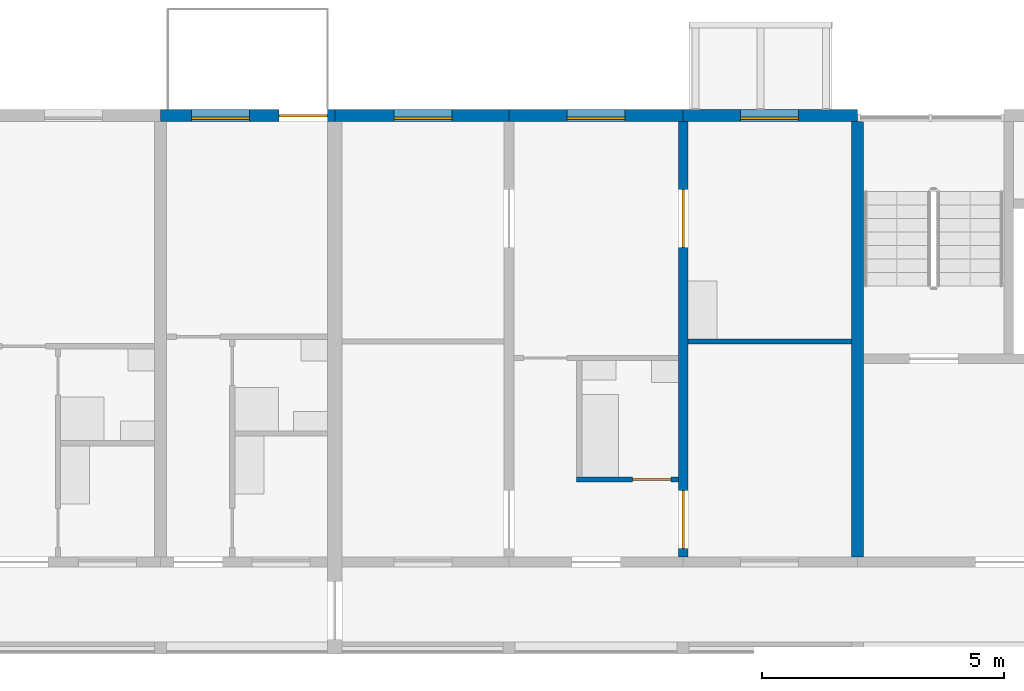
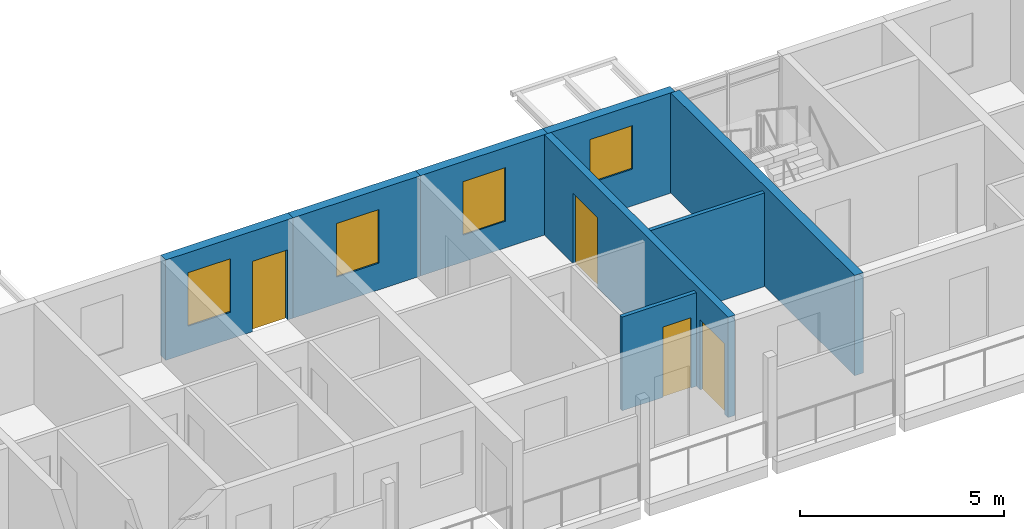
# One storey, part 32 of 99: 8 walls, 4 doors, 4 windows, 8 openings.
"""IFC4 building model written with IfcOpenShell, lengths in metres."""

from ifc_helpers import new_model, si_unit, direction, frame, frame_2d, origin, place, context, subcontext, project, spatial, rectangle, extrude, material, layer, layer_set, type_object, element, fill, save


model = new_model("IFC4")

# Units and contexts
model_context = context("Model", 3, precision=1e-05, world=origin(), true_north=direction((0.0, 1.0)))
body_context = subcontext(model_context, "Body", "Model", "MODEL_VIEW")
ifc_project = project(units=[si_unit("LENGTHUNIT", "METRE"), si_unit("AREAUNIT", "SQUARE_METRE"), si_unit("VOLUMEUNIT", "CUBIC_METRE"), si_unit("PLANEANGLEUNIT", "RADIAN"), si_unit("MASSUNIT", "GRAM", prefix="KILO")], contexts=[model_context])

# Site, building, storey
site_placement = place(None, origin())
site = spatial("IfcSite", under=ifc_project, at=site_placement, CompositionType="ELEMENT")
building_placement = place(site_placement, origin())
building = spatial("IfcBuilding", under=site, at=building_placement, Name="Ridgestep Commons", CompositionType="ELEMENT")
storey_placement = place(building_placement, frame((0.0, 0.0, 15.0)))
storey = spatial("IfcBuildingStorey", under=building, at=storey_placement, Name="L05", CompositionType="ELEMENT", Elevation=15.0)

# Wall
ifc_material_1 = material(Name="Concrete C30/37", Category="concrete")
ifc_layer_1 = layer(ifc_material_1, 0.25)
ifc_layer_set_1 = layer_set([ifc_layer_1], Name="Core cross wall 250")
wall_type_1 = type_object("IfcWallType", Name="Core cross wall 250", PredefinedType="SHEAR", material=ifc_layer_set_1)
wall_1_placement = place(storey_placement, frame((73.199951171875, 13.75, 0.0), z_axis=(0.0, 0.0, 1.0), x_axis=(0.0, 1.0, 0.0)))
element("IfcWall", 1, at=wall_1_placement, inside=storey, type_object=wall_type_1, Name="Cross wall A-05-0732", PredefinedType="SHEAR", context=body_context, shape_type="SweptSolid", body=[
    extrude(rectangle(XDim=9.0, YDim=0.25, at=frame_2d((4.5, 0.0))), origin(), (0.0, 0.0, 1.0), 3.0),
])

# Wall, openings, doors
ifc_material_2 = material(Name="Precast concrete C40/50", Category="concrete")
ifc_layer_2 = layer(ifc_material_2, 0.199951171875)
ifc_layer_set_2 = layer_set([ifc_layer_2], Name="Cross wall 200")
wall_type_2 = type_object("IfcWallType", Name="Cross wall 200", PredefinedType="SHEAR", material=ifc_layer_set_2)
wall_2_placement = place(storey_placement, frame((69.60009765625, 13.75, 0.0), z_axis=(0.0, 0.0, 1.0), x_axis=(0.0, 1.0, 0.0)))
wall_2 = element("IfcWall", 2, at=wall_2_placement, inside=storey, type_object=wall_type_2, Name="Cross wall A-05-0696", PredefinedType="SHEAR", context=body_context, shape_type="SweptSolid", body=[
    extrude(rectangle(XDim=9.0, YDim=0.199951171875, at=frame_2d((4.5, 0.0))), origin(), (0.0, 0.0, 1.0), 3.0),
])
opening_1_placement = place(wall_2_placement, frame((0.175048828125, 0.0, 0.0)))
opening_1 = element("IfcOpeningElement", 3, at=opening_1_placement, cuts=wall_2, Name="Opening A4-05a/6", PredefinedType="OPENING", context=body_context, shape_type="SweptSolid", body=[
    extrude(rectangle(XDim=1.199951171875, YDim=2.10009765625, at=frame_2d((0.60009765625, 1.050048828125))), frame((0.0, 0.10986328125, 0.0), z_axis=(0.0, -1.0, 0.0), x_axis=(1.0, 0.0, 0.0)), (0.0, 0.0, 1.0), 0.219970703125),
])
opening_2_placement = place(wall_2_placement, frame((6.39990234375, 0.0, 0.0)))
opening_2 = element("IfcOpeningElement", 4, at=opening_2_placement, cuts=wall_2, Name="Opening A4-05a/7", PredefinedType="OPENING", context=body_context, shape_type="SweptSolid", body=[
    extrude(rectangle(XDim=1.199951171875, YDim=2.10009765625, at=frame_2d((0.60009765625, 1.050048828125))), frame((0.0, 0.10986328125, 0.0), z_axis=(0.0, -1.0, 0.0), x_axis=(1.0, 0.0, 0.0)), (0.0, 0.0, 1.0), 0.219970703125),
])
ifc_material_3 = material(Name="Timber door leaf", Category="wood")
door_type_1 = type_object("IfcDoorType", Name="Double door 1200 x 2100", OperationType="DOUBLE_DOOR_SINGLE_SWING", PredefinedType="DOOR", material=ifc_material_3)
door_1_placement = place(opening_1_placement, origin())
door_1 = element("IfcDoor", 5, at=door_1_placement, inside=storey, type_object=door_type_1, Name="Double door A4-05a/6", OperationType="DOUBLE_DOOR_SINGLE_SWING", OverallHeight=2.10009765625, OverallWidth=1.199951171875, PredefinedType="DOOR", context=body_context, shape_type="SweptSolid", body=[
    extrude(rectangle(XDim=1.199951171875, YDim=2.10009765625, at=frame_2d((0.60009765625, 1.050048828125))), frame((0.0, 0.02490234375, 0.0), z_axis=(0.0, -1.0, 0.0), x_axis=(1.0, 0.0, 0.0)), (0.0, 0.0, 1.0), 0.050048828125),
])
fill(opening_1, door_1)
door_2_placement = place(opening_2_placement, origin())
door_2 = element("IfcDoor", 6, at=door_2_placement, inside=storey, type_object=door_type_1, Name="Double door A4-05a/7", OperationType="DOUBLE_DOOR_SINGLE_SWING", OverallHeight=2.10009765625, OverallWidth=1.199951171875, PredefinedType="DOOR", context=body_context, shape_type="SweptSolid", body=[
    extrude(rectangle(XDim=1.199951171875, YDim=2.10009765625, at=frame_2d((0.60009765625, 1.050048828125))), frame((0.0, 0.02490234375, 0.0), z_axis=(0.0, -1.0, 0.0), x_axis=(1.0, 0.0, 0.0)), (0.0, 0.0, 1.0), 0.050048828125),
])
fill(opening_2, door_2)

# Wall, openings, door, window
ifc_material_4 = material(Name="Precast concrete C40/50", Category="concrete")
ifc_layer_3 = layer(ifc_material_4, 0.25)
ifc_layer_set_3 = layer_set([ifc_layer_3], Name="North facade panel 250")
wall_type_3 = type_object("IfcWallType", Name="North facade panel 250", PredefinedType="SOLIDWALL", material=ifc_layer_set_3)
wall_3_placement = place(storey_placement, frame((58.800048828125, 22.875, 0.0), z_axis=(0.0, 0.0, 1.0), x_axis=(1.0, 0.0, 0.0)))
wall_3 = element("IfcWall", 7, at=wall_3_placement, inside=storey, type_object=wall_type_3, Name="North panel A3T1 L05", PredefinedType="SOLIDWALL", context=body_context, shape_type="SweptSolid", body=[
    extrude(rectangle(XDim=3.599853515625, YDim=0.25, at=frame_2d((1.7998046875, 0.0))), origin(), (0.0, 0.0, 1.0), 3.0),
])
opening_3_placement = place(wall_3_placement, frame((0.637451171875, 0.0, 0.800048828125)))
opening_3 = element("IfcOpeningElement", 8, at=opening_3_placement, cuts=wall_3, Name="Opening W11", PredefinedType="OPENING", context=body_context, shape_type="SweptSolid", body=[
    extrude(rectangle(XDim=1.199951171875, YDim=1.60009765625, at=frame_2d((0.60009765625, 0.800048828125))), frame((0.0, 0.135009765625, 0.0), z_axis=(0.0, -1.0, 0.0), x_axis=(1.0, 0.0, 0.0)), (0.0, 0.0, 1.0), 0.27001953125),
])
opening_4_placement = place(wall_3_placement, frame((2.449951171875, 0.0, 0.0)))
opening_4 = element("IfcOpeningElement", 9, at=opening_4_placement, cuts=wall_3, Name="Opening A3-05a/5", PredefinedType="OPENING", context=body_context, shape_type="SweptSolid", body=[
    extrude(rectangle(XDim=1.0, YDim=2.10009765625, at=frame_2d((0.5, 1.050048828125))), frame((0.0, 0.135009765625, 0.0), z_axis=(0.0, -1.0, 0.0), x_axis=(1.0, 0.0, 0.0)), (0.0, 0.0, 1.0), 0.27001953125),
])
ifc_material_5 = material(Name="Aluminium and glass", Category="aluminium")
door_type_2 = type_object("IfcDoorType", Name="Balcony door 1000 x 2100", OperationType="NOTDEFINED", PredefinedType="DOOR", material=ifc_material_5)
door_3_placement = place(opening_4_placement, origin())
door_3 = element("IfcDoor", 10, at=door_3_placement, inside=storey, type_object=door_type_2, Name="Balcony door A3-05a/5", OperationType="SINGLE_SWING_LEFT", OverallHeight=2.10009765625, OverallWidth=1.0, PredefinedType="DOOR", context=body_context, shape_type="SweptSolid", body=[
    extrude(rectangle(XDim=1.0, YDim=2.10009765625, at=frame_2d((0.5, 1.050048828125))), frame((0.0, 0.02490234375, 0.0), z_axis=(0.0, -1.0, 0.0), x_axis=(1.0, 0.0, 0.0)), (0.0, 0.0, 1.0), 0.050048828125),
])
fill(opening_4, door_3)
ifc_material_6 = material(Name="Aluminium 6063-T6 and glass", Category="aluminium")
window_type_1 = type_object("IfcWindowType", Name="Flat window 1200 x 1600", PartitioningType="SINGLE_PANEL", PredefinedType="WINDOW", material=ifc_material_6)
window_1_placement = place(opening_3_placement, origin())
window_1 = element("IfcWindow", 11, at=window_1_placement, inside=storey, type_object=window_type_1, Name="Window A3-05a 2", OverallHeight=1.60009765625, OverallWidth=1.199951171875, PartitioningType="SINGLE_PANEL", PredefinedType="WINDOW", context=body_context, shape_type="SweptSolid", body=[
    extrude(rectangle(XDim=1.199951171875, YDim=1.60009765625, at=frame_2d((0.60009765625, 0.800048828125))), frame((0.0, -0.02490234375, 0.0), z_axis=(0.0, -1.0, 0.0), x_axis=(1.0, 0.0, 0.0)), (0.0, 0.0, 1.0), 0.06005859375),
])
fill(opening_3, window_1)

# Wall, opening, window
wall_4_placement = place(storey_placement, frame((62.39990234375, 22.875, 0.0), z_axis=(0.0, 0.0, 1.0), x_axis=(1.0, 0.0, 0.0)))
wall_4 = element("IfcWall", 12, at=wall_4_placement, inside=storey, type_object=wall_type_3, Name="North panel A4T1 L05", PredefinedType="SOLIDWALL", context=body_context, shape_type="SweptSolid", body=[
    extrude(rectangle(XDim=3.60009765625, YDim=0.25, at=frame_2d((1.800048828125, 0.0))), origin(), (0.0, 0.0, 1.0), 3.0),
])
opening_5_placement = place(wall_4_placement, frame((1.22509765625, 0.0, 0.800048828125)))
opening_5 = element("IfcOpeningElement", 13, at=opening_5_placement, cuts=wall_4, Name="Opening W11", PredefinedType="OPENING", context=body_context, shape_type="SweptSolid", body=[
    extrude(rectangle(XDim=1.199951171875, YDim=1.60009765625, at=frame_2d((0.60009765625, 0.800048828125))), frame((0.0, 0.135009765625, 0.0), z_axis=(0.0, -1.0, 0.0), x_axis=(1.0, 0.0, 0.0)), (0.0, 0.0, 1.0), 0.27001953125),
])
window_2_placement = place(opening_5_placement, origin())
window_2 = element("IfcWindow", 14, at=window_2_placement, inside=storey, type_object=window_type_1, Name="Window A4-05a 2", OverallHeight=1.60009765625, OverallWidth=1.199951171875, PartitioningType="SINGLE_PANEL", PredefinedType="WINDOW", context=body_context, shape_type="SweptSolid", body=[
    extrude(rectangle(XDim=1.199951171875, YDim=1.60009765625, at=frame_2d((0.60009765625, 0.800048828125))), frame((0.0, -0.02490234375, 0.0), z_axis=(0.0, -1.0, 0.0), x_axis=(1.0, 0.0, 0.0)), (0.0, 0.0, 1.0), 0.06005859375),
])
fill(opening_5, window_2)

wall_5_placement = place(storey_placement, frame((66.0, 22.875, 0.0), z_axis=(0.0, 0.0, 1.0), x_axis=(1.0, 0.0, 0.0)))
wall_5 = element("IfcWall", 15, at=wall_5_placement, inside=storey, type_object=wall_type_3, Name="North panel A4T2 L05", PredefinedType="SOLIDWALL", context=body_context, shape_type="SweptSolid", body=[
    extrude(rectangle(XDim=3.60009765625, YDim=0.25, at=frame_2d((1.800048828125, 0.0))), origin(), (0.0, 0.0, 1.0), 3.0),
])
opening_6_placement = place(wall_5_placement, frame((1.199951171875, 0.0, 0.800048828125)))
opening_6 = element("IfcOpeningElement", 16, at=opening_6_placement, cuts=wall_5, Name="Opening W11", PredefinedType="OPENING", context=body_context, shape_type="SweptSolid", body=[
    extrude(rectangle(XDim=1.199951171875, YDim=1.60009765625, at=frame_2d((0.60009765625, 0.800048828125))), frame((0.0, 0.135009765625, 0.0), z_axis=(0.0, -1.0, 0.0), x_axis=(1.0, 0.0, 0.0)), (0.0, 0.0, 1.0), 0.27001953125),
])
window_3_placement = place(opening_6_placement, origin())
window_3 = element("IfcWindow", 17, at=window_3_placement, inside=storey, type_object=window_type_1, Name="Window A4-05a 5", OverallHeight=1.60009765625, OverallWidth=1.199951171875, PartitioningType="SINGLE_PANEL", PredefinedType="WINDOW", context=body_context, shape_type="SweptSolid", body=[
    extrude(rectangle(XDim=1.199951171875, YDim=1.60009765625, at=frame_2d((0.60009765625, 0.800048828125))), frame((0.0, -0.02490234375, 0.0), z_axis=(0.0, -1.0, 0.0), x_axis=(1.0, 0.0, 0.0)), (0.0, 0.0, 1.0), 0.06005859375),
])
fill(opening_6, window_3)

wall_6_placement = place(storey_placement, frame((69.60009765625, 22.875, 0.0), z_axis=(0.0, 0.0, 1.0), x_axis=(1.0, 0.0, 0.0)))
wall_6 = element("IfcWall", 18, at=wall_6_placement, inside=storey, type_object=wall_type_3, Name="North panel A4T3 L05", PredefinedType="SOLIDWALL", context=body_context, shape_type="SweptSolid", body=[
    extrude(rectangle(XDim=3.599853515625, YDim=0.25, at=frame_2d((1.7998046875, 0.0))), origin(), (0.0, 0.0, 1.0), 3.0),
])
opening_7_placement = place(wall_6_placement, frame((1.1875, 0.0, 1.10009765625)))
opening_7 = element("IfcOpeningElement", 19, at=opening_7_placement, cuts=wall_6, Name="Opening W08", PredefinedType="OPENING", context=body_context, shape_type="SweptSolid", body=[
    extrude(rectangle(XDim=1.199951171875, YDim=1.300048828125, at=frame_2d((0.60009765625, 0.64990234375))), frame((0.0, 0.135009765625, 0.0), z_axis=(0.0, -1.0, 0.0), x_axis=(1.0, 0.0, 0.0)), (0.0, 0.0, 1.0), 0.27001953125),
])
ifc_material_7 = material(Name="Aluminium 6063-T6 and glass", Category="aluminium")
window_type_2 = type_object("IfcWindowType", Name="Flat window 1200 x 1300", PartitioningType="SINGLE_PANEL", PredefinedType="WINDOW", material=ifc_material_7)
window_4_placement = place(opening_7_placement, origin())
window_4 = element("IfcWindow", 20, at=window_4_placement, inside=storey, type_object=window_type_2, Name="Window A4-05a 4", OverallHeight=1.300048828125, OverallWidth=1.199951171875, PartitioningType="SINGLE_PANEL", PredefinedType="WINDOW", context=body_context, shape_type="SweptSolid", body=[
    extrude(rectangle(XDim=1.199951171875, YDim=1.300048828125, at=frame_2d((0.60009765625, 0.64990234375))), frame((0.0, -0.02490234375, 0.0), z_axis=(0.0, -1.0, 0.0), x_axis=(1.0, 0.0, 0.0)), (0.0, 0.0, 1.0), 0.06005859375),
])
fill(opening_7, window_4)

# Wall, opening, door
ifc_material_8 = material(Name="Common brick 110 mm", Category="masonry")
ifc_layer_4 = layer(ifc_material_8, 0.110107421875)
ifc_layer_set_4 = layer_set([ifc_layer_4], Name="Partition 110")
wall_type_4 = type_object("IfcWallType", Name="Partition 110", PredefinedType="PARTITIONING", material=ifc_layer_set_4)
wall_7_placement = place(storey_placement, frame((67.39990234375, 15.35498046875, 0.0), z_axis=(0.0, 0.0, 1.0), x_axis=(1.0, 0.0, 0.0)))
wall_7 = element("IfcWall", 21, at=wall_7_placement, inside=storey, type_object=wall_type_4, Name="Partition A4-05a", PredefinedType="PARTITIONING", context=body_context, shape_type="SweptSolid", body=[
    extrude(rectangle(XDim=2.10009765625, YDim=0.110107421875, at=frame_2d((1.050048828125, 0.0))), origin(), (0.0, 0.0, 1.0), 2.800048828125),
])
opening_8_placement = place(wall_7_placement, frame((1.14990234375, 0.0, 0.0)))
opening_8 = element("IfcOpeningElement", 22, at=opening_8_placement, cuts=wall_7, Name="Opening A4-05a/2", PredefinedType="OPENING", context=body_context, shape_type="SweptSolid", body=[
    extrude(rectangle(XDim=0.800048828125, YDim=2.10009765625, at=frame_2d((0.39990234375, 1.050048828125))), frame((0.0, 0.06494140625, 0.0), z_axis=(0.0, -1.0, 0.0), x_axis=(1.0, 0.0, 0.0)), (0.0, 0.0, 1.0), 0.130126953125),
])
ifc_material_9 = material(Name="Timber door leaf", Category="wood")
door_type_3 = type_object("IfcDoorType", Name="Internal door 800 x 2100", OperationType="NOTDEFINED", PredefinedType="DOOR", material=ifc_material_9)
door_4_placement = place(opening_8_placement, origin())
door_4 = element("IfcDoor", 23, at=door_4_placement, inside=storey, type_object=door_type_3, Name="Internal door A4-05a/2", OperationType="SINGLE_SWING_RIGHT", OverallHeight=2.10009765625, OverallWidth=0.800048828125, PredefinedType="DOOR", context=body_context, shape_type="SweptSolid", body=[
    extrude(rectangle(XDim=0.800048828125, YDim=2.10009765625, at=frame_2d((0.39990234375, 1.050048828125))), frame((0.0, 0.02490234375, 0.0), z_axis=(0.0, -1.0, 0.0), x_axis=(1.0, 0.0, 0.0)), (0.0, 0.0, 1.0), 0.050048828125),
])
fill(opening_8, door_4)

# Wall
wall_8_placement = place(storey_placement, frame((69.699951171875, 18.205078125, 0.0), z_axis=(0.0, 0.0, 1.0), x_axis=(1.0, 0.0, 0.0)))
element("IfcWall", 24, at=wall_8_placement, inside=storey, type_object=wall_type_4, Name="Partition A4-05a", PredefinedType="PARTITIONING", context=body_context, shape_type="SweptSolid", body=[
    extrude(rectangle(XDim=3.375, YDim=0.110107421875, at=frame_2d((1.6875, 0.0))), origin(), (0.0, 0.0, 1.0), 2.800048828125),
])

save(model, "model.ifc")
